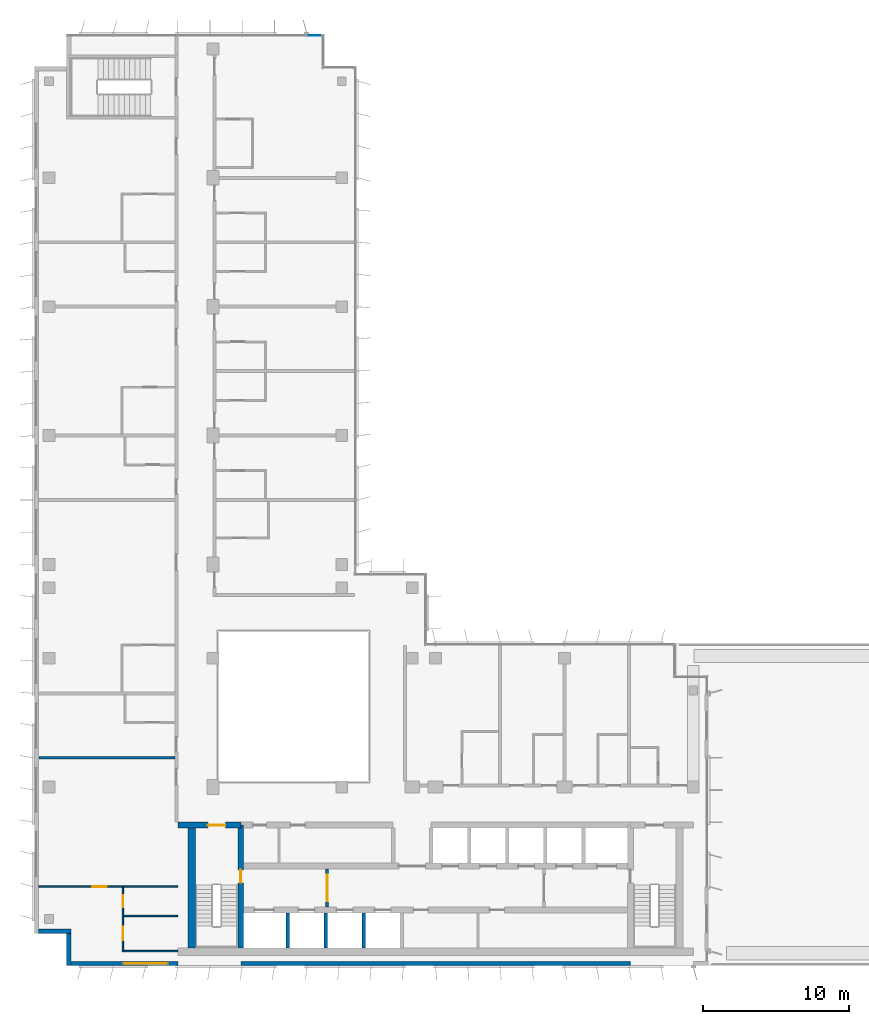
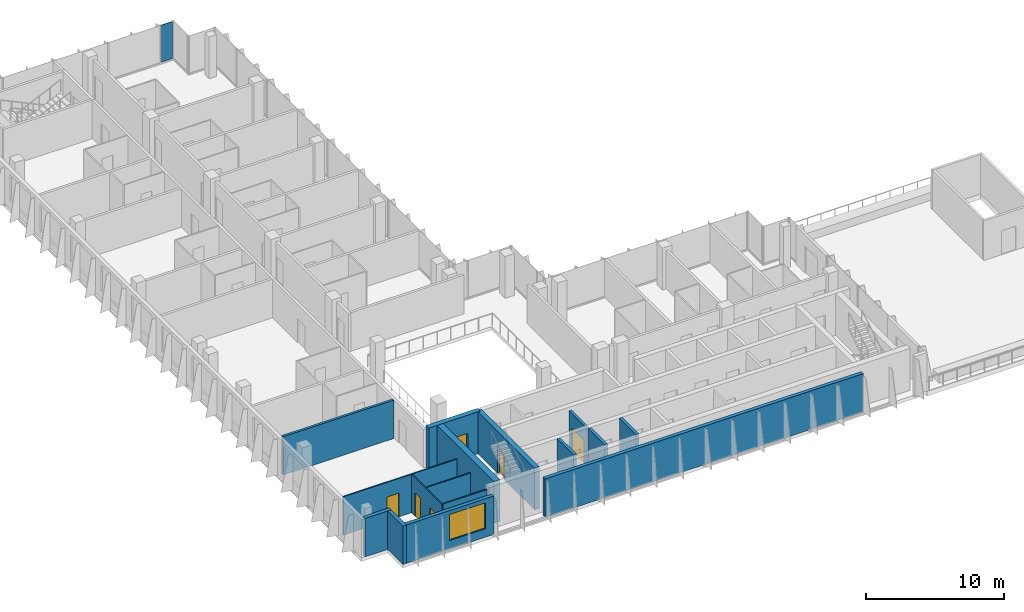
# One storey, part 9 of 17: 16 walls, 6 doors, 1 plate, 1 window, 7 openings, 1 element without a shape of its own.
"""IFC4 building model written with IfcOpenShell, lengths in metres."""

from ifc_helpers import new_model, si_unit, direction, frame, frame_2d, origin, origin_2d, place, context, subcontext, project, spatial, rectangle, extrude, source, transform, mapped, material, layer, layer_set, type_object, element, fill, aggregate, save


model = new_model("IFC4")

# Units and contexts
model_context = context("Model", 3, precision=1e-05, world=origin(), true_north=direction((0.0, 1.0)))
body_context = subcontext(model_context, "Body", "Model", "MODEL_VIEW")
ifc_project = project(units=[si_unit("LENGTHUNIT", "METRE"), si_unit("AREAUNIT", "SQUARE_METRE"), si_unit("VOLUMEUNIT", "CUBIC_METRE"), si_unit("PLANEANGLEUNIT", "RADIAN"), si_unit("MASSUNIT", "GRAM", prefix="KILO")], contexts=[model_context])

# Site, building, storey
site_placement = place(None, origin())
site = spatial("IfcSite", under=ifc_project, at=site_placement, CompositionType="ELEMENT")
building_placement = place(site_placement, origin())
building = spatial("IfcBuilding", under=site, at=building_placement, Name="Kemantara Hotel Tower", CompositionType="ELEMENT")
storey_placement = place(building_placement, frame((0.0, 0.0, 222.800048828125)))
storey = spatial("IfcBuildingStorey", under=building, at=storey_placement, Name="L55", CompositionType="ELEMENT", Elevation=222.800048828125)

# Curtain wall, plate
ifc_material_1 = material(Name="Low-E tinted double insulated glass 36 mm", Category="glass")
curtain_wall_type = type_object("IfcCurtainWallType", Name="TOWER CURTAIN WALL, FRONT FACES", PredefinedType="USERDEFINED", material=ifc_material_1)
curtain_wall_placement = place(storey_placement, origin())
curtain_wall = element("IfcCurtainWall", 1, at=curtain_wall_placement, inside=storey, type_object=curtain_wall_type, Name="CW4 L55 T4-R02-1", ObjectType="TOWER CURTAIN WALL, FRONT FACES", PredefinedType="USERDEFINED")
ifc_layer_1 = layer(ifc_material_1, 0.035888671875)
ifc_layer_set_1 = layer_set([ifc_layer_1], Name="Low-E tinted double insulated glass 36 mm")
plate_type = type_object("IfcPlateType", Name="TOWER CURTAIN WALL, FRONT FACES PANEL", PredefinedType="CURTAIN_PANEL", material=ifc_layer_set_1)
shared_shape = source(origin(), body_context, "Body", "SweptSolid", [
    extrude(rectangle(XDim=0.9599609375, YDim=0.035888671875, at=origin_2d()), origin(), (0.0, 0.0, 1.0), 3.280029296875),
])
plate_placement = place(storey_placement, frame((19.110107421875, 63.52490234375, 0.1201171875), z_axis=(0.0, 0.0, 1.0), x_axis=(-1.0, 0.0, 0.0)))
plate = element("IfcPlate", 2, at=plate_placement, type_object=plate_type, Name="CW4 glass panel T4-R02-1.1", PredefinedType="CURTAIN_PANEL", context=body_context, shape_type="MappedRepresentation", body=[
    mapped(shared_shape, transform((0.0, 0.0, 0.0))),
])
aggregate(curtain_wall, [plate])

# Walls
ifc_material_2 = material(Name="Bronze anodised aluminium cladding on insulated steel stud wall", Category="steel")
ifc_layer_2 = layer(ifc_material_2, 0.300048828125)
ifc_layer_set_2 = layer_set([ifc_layer_2], Name="Bronze anodised aluminium cladding on insulated steel stud wall")
wall_type_1 = type_object("IfcWallType", Name="BRONZE METAL-CLAD EXTERNAL WALL 300", PredefinedType="STANDARD", material=ifc_layer_set_2)
for number, where, z_axis, x_axis, name in (
    (3, (0.300048828125, 2.35009765625, 0.0), (0.0, 0.0, 1.0), (1.0, 0.0, 0.0), "EXTERNAL WALL L55 T4-R06"),
    (4, (2.35009765625, 2.199951171875, 0.0), (0.0, 0.0, 1.0), (0.0, -1.0, 0.0), "EXTERNAL WALL L55 T4-R07"),
):
    element("IfcWall", number, at=place(storey_placement, frame(where, z_axis=z_axis, x_axis=x_axis)), inside=storey, type_object=wall_type_1, Name=name, PredefinedType="STANDARD", context=body_context, shape_type="SweptSolid", body=[
        extrude(rectangle(XDim=2.199951171875, YDim=0.300048828125, at=frame_2d((1.10009765625, 0.0))), origin(), (0.0, 0.0, 1.0), 3.39990234375),
    ])

# Wall, opening, window
wall_1_placement = place(storey_placement, frame((2.5, 0.14990234375, 0.0), z_axis=(0.0, 0.0, 1.0), x_axis=(1.0, 0.0, 0.0)))
wall_1 = element("IfcWall", 5, at=wall_1_placement, inside=storey, type_object=wall_type_1, Name="EXTERNAL WALL L55 T4-R08", PredefinedType="STANDARD", context=body_context, shape_type="SweptSolid", body=[
    extrude(rectangle(XDim=7.300048828125, YDim=0.300048828125, at=frame_2d((3.64990234375, 0.0))), origin(), (0.0, 0.0, 1.0), 3.39990234375),
])
opening_1_placement = place(wall_1_placement, frame((3.60009765625, 0.0, 0.75)))
opening_1 = element("IfcOpeningElement", 6, at=opening_1_placement, cuts=wall_1, Name="Opening W1", PredefinedType="OPENING", context=body_context, shape_type="SweptSolid", body=[
    extrude(rectangle(XDim=3.0, YDim=2.300048828125, at=frame_2d((1.5, 1.14990234375))), frame((0.0, 0.159912109375, 0.0), z_axis=(0.0, -1.0, 0.0), x_axis=(1.0, 0.0, 0.0)), (0.0, 0.0, 1.0), 0.320068359375),
])
ifc_material_3 = material(Name="Low-E tinted double insulated glass in bronze anodised aluminium frame", Category="aluminium")
window_type = type_object("IfcWindowType", Name="CHICAGO WINDOW, TRIPLE PANEL 3000x2300", PartitioningType="TRIPLE_PANEL_VERTICAL", PredefinedType="WINDOW", material=ifc_material_3)
window_placement = place(opening_1_placement, origin())
window = element("IfcWindow", 7, at=window_placement, inside=storey, type_object=window_type, Name="CHICAGO WINDOW L55 T4-R08-54", OverallHeight=2.300048828125, OverallWidth=3.0, PartitioningType="SINGLE_PANEL", PredefinedType="WINDOW", context=body_context, shape_type="SweptSolid", body=[
    extrude(rectangle(XDim=3.0, YDim=2.300048828125, at=frame_2d((1.5, 1.14990234375))), frame((0.0, 0.030029296875, 0.0), z_axis=(0.0, -1.0, 0.0), x_axis=(1.0, 0.0, 0.0)), (0.0, 0.0, 1.0), 0.06005859375),
])
fill(opening_1, window)

# Walls
wall_2_placement = place(storey_placement, frame((14.10009765625, 0.14990234375, 0.0), z_axis=(0.0, 0.0, 1.0), x_axis=(1.0, 0.0, 0.0)))
element("IfcWall", 8, at=wall_2_placement, inside=storey, type_object=wall_type_1, Name="EXTERNAL WALL L55 T4-R08-2", PredefinedType="STANDARD", context=body_context, shape_type="SweptSolid", body=[
    extrude(rectangle(XDim=26.599853515625, YDim=0.300048828125, at=frame_2d((13.2998046875, 0.0))), origin(), (0.0, 0.0, 1.0), 3.39990234375),
])
ifc_material_4 = material(Name="Concrete fc 60 MPa", Category="concrete")
ifc_layer_3 = layer(ifc_material_4, 0.25)
ifc_layer_set_3 = layer_set([ifc_layer_3], Name="Concrete fc 60 MPa")
wall_type_2 = type_object("IfcWallType", Name="CORE WALL 250 FC60", PredefinedType="SHEAR", material=ifc_layer_set_3)
for number, where, z_axis, x_axis, name in (
    (9, (17.300048828125, 1.199951171875, 0.0), (0.0, 0.0, 1.0), (0.0, 1.0, 0.0), "CORE WALL CW-DS17.3"),
    (10, (19.89990234375, 1.199951171875, 0.0), (0.0, 0.0, 1.0), (0.0, 1.0, 0.0), "CORE WALL CW-DS19.9"),
    (11, (22.5, 1.199951171875, 0.0), (0.0, 0.0, 1.0), (0.0, 1.0, 0.0), "CORE WALL CW-DS22.5"),
):
    element("IfcWall", number, at=place(storey_placement, frame(where, z_axis=z_axis, x_axis=x_axis)), inside=storey, type_object=wall_type_2, Name=name, PredefinedType="SHEAR", context=body_context, shape_type="SweptSolid", body=[
        extrude(rectangle(XDim=2.400146484375, YDim=0.25, at=frame_2d((1.2001953125, 0.0))), origin(), (0.0, 0.0, 1.0), 3.699951171875),
    ])

# Wall, opening, door
ifc_layer_4 = layer(ifc_material_4, 0.39990234375)
ifc_layer_set_4 = layer_set([ifc_layer_4], Name="Concrete fc 60 MPa")
wall_type_3 = type_object("IfcWallType", Name="CORE WALL 400 FC60", PredefinedType="SHEAR", material=ifc_layer_set_4)
wall_3_placement = place(storey_placement, frame((9.800048828125, 9.60009765625, 0.0), z_axis=(0.0, 0.0, 1.0), x_axis=(1.0, 0.0, 0.0)))
wall_3 = element("IfcWall", 12, at=wall_3_placement, inside=storey, type_object=wall_type_3, Name="CORE WALL CW-N1", PredefinedType="SHEAR", context=body_context, shape_type="SweptSolid", body=[
    extrude(rectangle(XDim=4.300048828125, YDim=0.39990234375, at=frame_2d((2.14990234375, 0.0))), origin(), (0.0, 0.0, 1.0), 3.699951171875),
])
opening_2_placement = place(wall_3_placement, frame((2.050048828125, 0.0, 0.0)))
opening_2 = element("IfcOpeningElement", 13, at=opening_2_placement, cuts=wall_3, Name="Opening C34-ST1-C", PredefinedType="OPENING", context=body_context, shape_type="SweptSolid", body=[
    extrude(rectangle(XDim=1.199951171875, YDim=2.10009765625, at=frame_2d((0.60009765625, 1.050048828125))), frame((0.0, 0.2099609375, 0.0), z_axis=(0.0, -1.0, 0.0), x_axis=(1.0, 0.0, 0.0)), (0.0, 0.0, 1.0), 0.419921875),
])
ifc_material_5 = material(Name="Steel fire door", Category="steel")
door_type_1 = type_object("IfcDoorType", Name="Fire door FD90 1200 x 2100", OperationType="NOTDEFINED", PredefinedType="DOOR", material=ifc_material_5)
door_1_placement = place(opening_2_placement, frame((1.199951171875, 0.0, 0.0), z_axis=(0.0, 0.0, 1.0), x_axis=(-1.0, 0.0, 0.0)))
door_1 = element("IfcDoor", 14, at=door_1_placement, inside=storey, type_object=door_type_1, Name="Stair ST1 door to corridor", OperationType="SINGLE_SWING_LEFT", OverallHeight=2.10009765625, OverallWidth=1.199951171875, PredefinedType="DOOR", context=body_context, shape_type="SweptSolid", body=[
    extrude(rectangle(XDim=1.199951171875, YDim=2.10009765625, at=frame_2d((0.60009765625, 1.050048828125))), frame((0.0, 0.02490234375, 0.0), z_axis=(0.0, -1.0, 0.0), x_axis=(1.0, 0.0, 0.0)), (0.0, 0.0, 1.0), 0.050048828125),
])
fill(opening_2, door_1)

wall_4_placement = place(storey_placement, frame((14.10009765625, 1.199951171875, 0.0), z_axis=(0.0, 0.0, 1.0), x_axis=(0.0, 1.0, 0.0)))
wall_4 = element("IfcWall", 15, at=wall_4_placement, inside=storey, type_object=wall_type_3, Name="CORE WALL CW-ST1E", PredefinedType="SHEAR", context=body_context, shape_type="SweptSolid", body=[
    extrude(rectangle(XDim=8.400146484375, YDim=0.39990234375, at=frame_2d((4.2001953125, 0.0))), origin(), (0.0, 0.0, 1.0), 3.699951171875),
])
opening_3_placement = place(wall_4_placement, frame((4.449951171875, 0.0, 0.0)))
opening_3 = element("IfcOpeningElement", 16, at=opening_3_placement, cuts=wall_4, Name="Opening C34-ST1-F", PredefinedType="OPENING", context=body_context, shape_type="SweptSolid", body=[
    extrude(rectangle(XDim=0.89990234375, YDim=2.10009765625, at=frame_2d((0.449951171875, 1.050048828125))), frame((0.0, 0.2099609375, 0.0), z_axis=(0.0, -1.0, 0.0), x_axis=(1.0, 0.0, 0.0)), (0.0, 0.0, 1.0), 0.419921875),
])
door_type_2 = type_object("IfcDoorType", Name="Fire door FD90 900 x 2100", OperationType="NOTDEFINED", PredefinedType="DOOR", material=ifc_material_5)
door_2_placement = place(opening_3_placement, origin())
door_2 = element("IfcDoor", 17, at=door_2_placement, inside=storey, type_object=door_type_2, Name="Stair ST1 door to firefighting lobby", OperationType="SINGLE_SWING_RIGHT", OverallHeight=2.10009765625, OverallWidth=0.89990234375, PredefinedType="DOOR", context=body_context, shape_type="SweptSolid", body=[
    extrude(rectangle(XDim=0.89990234375, YDim=2.10009765625, at=frame_2d((0.449951171875, 1.050048828125))), frame((0.0, 0.02490234375, 0.0), z_axis=(0.0, -1.0, 0.0), x_axis=(1.0, 0.0, 0.0)), (0.0, 0.0, 1.0), 0.050048828125),
])
fill(opening_3, door_2)

# Walls
ifc_layer_5 = layer(ifc_material_4, 0.5)
ifc_layer_set_5 = layer_set([ifc_layer_5], Name="Concrete fc 60 MPa")
wall_type_4 = type_object("IfcWallType", Name="CORE WALL 500 FC60", PredefinedType="SHEAR", material=ifc_layer_set_5)
wall_5_placement = place(storey_placement, frame((10.75, 1.199951171875, 0.0), z_axis=(0.0, 0.0, 1.0), x_axis=(0.0, 1.0, 0.0)))
element("IfcWall", 18, at=wall_5_placement, inside=storey, type_object=wall_type_4, Name="CORE WALL CW-W", PredefinedType="SHEAR", context=body_context, shape_type="SweptSolid", body=[
    extrude(rectangle(XDim=8.60009765625, YDim=0.5, at=frame_2d((4.300048828125, 0.0))), origin(), (0.0, 0.0, 1.0), 3.699951171875),
])
ifc_material_6 = material(Name="Gypsum board partition, steel studs and mineral wool, 200 mm", Category="steel")
ifc_layer_6 = layer(ifc_material_6, 0.199951171875)
ifc_layer_set_6 = layer_set([ifc_layer_6], Name="Gypsum board partition, steel studs and mineral wool, 200 mm")
wall_type_5 = type_object("IfcWallType", Name="GUEST ROOM PARTY WALL 200", PredefinedType="PARTITIONING", material=ifc_layer_set_6)
wall_6_placement = place(storey_placement, frame((0.31005859375, 14.199951171875, 0.0), z_axis=(0.0, 0.0, 1.0), x_axis=(1.0, 0.0, 0.0)))
element("IfcWall", 19, at=wall_6_placement, inside=storey, type_object=wall_type_5, Name="GUEST ROOM PARTY WALL 200 010", PredefinedType="PARTITIONING", context=body_context, shape_type="SweptSolid", body=[
    extrude(rectangle(XDim=9.2900390625, YDim=0.199951171875, at=frame_2d((4.64501953125, 0.0))), origin(), (0.0, 0.0, 1.0), 3.39990234375),
])

# Wall, opening, door
ifc_material_7 = material(Name="Gypsum board shaft wall")
ifc_layer_7 = layer(ifc_material_7, 0.199951171875)
ifc_layer_set_7 = layer_set([ifc_layer_7], Name="Gypsum board shaft wall")
wall_type_6 = type_object("IfcWallType", Name="Gypsum board shaft wall 200 mm", PredefinedType="PARTITIONING", material=ifc_layer_set_7)
wall_7_placement = place(storey_placement, frame((20.0, 4.0, 0.0), z_axis=(0.0, 0.0, 1.0), x_axis=(0.0, 1.0, 0.0)))
wall_7 = element("IfcWall", 20, at=wall_7_placement, inside=storey, type_object=wall_type_6, Name="Firefighting lobby partition west", PredefinedType="PARTITIONING", context=body_context, shape_type="SweptSolid", body=[
    extrude(rectangle(XDim=2.60009765625, YDim=0.199951171875, at=frame_2d((1.300048828125, 0.0))), origin(), (0.0, 0.0, 1.0), 3.39990234375),
])
opening_4_placement = place(wall_7_placement, frame((0.39990234375, 0.0, 0.0)))
opening_4 = element("IfcOpeningElement", 21, at=opening_4_placement, cuts=wall_7, Name="Opening C34-FFW", PredefinedType="OPENING", context=body_context, shape_type="SweptSolid", body=[
    extrude(rectangle(XDim=1.800048828125, YDim=2.10009765625, at=frame_2d((0.89990234375, 1.050048828125))), frame((0.0, 0.10986328125, 0.0), z_axis=(0.0, -1.0, 0.0), x_axis=(1.0, 0.0, 0.0)), (0.0, 0.0, 1.0), 0.219970703125),
])
door_type_3 = type_object("IfcDoorType", Name="Fire door pair FD60 1800 x 2100", OperationType="DOUBLE_DOOR_SINGLE_SWING", PredefinedType="DOOR", material=ifc_material_5)
door_3_placement = place(opening_4_placement, origin())
door_3 = element("IfcDoor", 22, at=door_3_placement, inside=storey, type_object=door_type_3, Name="Firefighting lobby door west", OperationType="DOUBLE_DOOR_SINGLE_SWING", OverallHeight=2.10009765625, OverallWidth=1.800048828125, PredefinedType="DOOR", context=body_context, shape_type="SweptSolid", body=[
    extrude(rectangle(XDim=1.800048828125, YDim=2.10009765625, at=frame_2d((0.89990234375, 1.050048828125))), frame((0.0, 0.02490234375, 0.0), z_axis=(0.0, -1.0, 0.0), x_axis=(1.0, 0.0, 0.0)), (0.0, 0.0, 1.0), 0.050048828125),
])
fill(opening_4, door_3)

# Wall, openings, doors
ifc_material_8 = material(Name="Gypsum board partition on steel studs, 100 mm", Category="steel")
ifc_layer_8 = layer(ifc_material_8, 0.10009765625)
ifc_layer_set_8 = layer_set([ifc_layer_8], Name="Gypsum board partition on steel studs, 100 mm")
wall_type_7 = type_object("IfcWallType", Name="ROOM PARTITION 100", PredefinedType="PARTITIONING", material=ifc_layer_set_8)
wall_8_placement = place(storey_placement, frame((6.050048828125, 5.35009765625, 0.0), z_axis=(0.0, 0.0, 1.0), x_axis=(0.0, -1.0, 0.0)))
wall_8 = element("IfcWall", 23, at=wall_8_placement, inside=storey, type_object=wall_type_7, Name="ROOM PARTITION 100 036", PredefinedType="PARTITIONING", context=body_context, shape_type="SweptSolid", body=[
    extrude(rectangle(XDim=4.400146484375, YDim=0.10009765625, at=frame_2d((2.2001953125, 0.0))), origin(), (0.0, 0.0, 1.0), 3.39990234375),
])
opening_5_placement = place(wall_8_placement, frame((2.699951171875, 0.0, 0.0)))
opening_5 = element("IfcOpeningElement", 24, at=opening_5_placement, cuts=wall_8, Name="Opening F27-011", PredefinedType="OPENING", context=body_context, shape_type="SweptSolid", body=[
    extrude(rectangle(XDim=0.89990234375, YDim=2.10009765625, at=frame_2d((0.449951171875, 1.050048828125))), frame((0.0, 0.06005859375, 0.0), z_axis=(0.0, -1.0, 0.0), x_axis=(1.0, 0.0, 0.0)), (0.0, 0.0, 1.0), 0.1201171875),
])
opening_6_placement = place(wall_8_placement, frame((0.550048828125, 0.0, 0.0)))
opening_6 = element("IfcOpeningElement", 25, at=opening_6_placement, cuts=wall_8, Name="Opening F27-012", PredefinedType="OPENING", context=body_context, shape_type="SweptSolid", body=[
    extrude(rectangle(XDim=0.800048828125, YDim=2.10009765625, at=frame_2d((0.39990234375, 1.050048828125))), frame((0.0, 0.06005859375, 0.0), z_axis=(0.0, -1.0, 0.0), x_axis=(1.0, 0.0, 0.0)), (0.0, 0.0, 1.0), 0.1201171875),
])
ifc_material_9 = material(Name="Hardwood veneer door leaf with steel frame", Category="steel")
door_type_4 = type_object("IfcDoorType", Name="BATHROOM DOOR 900 X 2100", OperationType="NOTDEFINED", PredefinedType="DOOR", material=ifc_material_9)
door_4_placement = place(opening_5_placement, origin())
door_4 = element("IfcDoor", 26, at=door_4_placement, inside=storey, type_object=door_type_4, Name="BATHROOM DOOR F27-011", OperationType="SINGLE_SWING_LEFT", OverallHeight=2.10009765625, OverallWidth=0.89990234375, PredefinedType="DOOR", context=body_context, shape_type="SweptSolid", body=[
    extrude(rectangle(XDim=0.89990234375, YDim=2.10009765625, at=frame_2d((0.449951171875, 1.050048828125))), frame((0.0, 0.02490234375, 0.0), z_axis=(0.0, -1.0, 0.0), x_axis=(1.0, 0.0, 0.0)), (0.0, 0.0, 1.0), 0.050048828125),
])
fill(opening_5, door_4)
door_type_5 = type_object("IfcDoorType", Name="WARDROBE DOOR 800 X 2100", OperationType="NOTDEFINED", PredefinedType="DOOR", material=ifc_material_9)
door_5_placement = place(opening_6_placement, origin())
door_5 = element("IfcDoor", 27, at=door_5_placement, inside=storey, type_object=door_type_5, Name="WARDROBE DOOR F27-012", OperationType="SINGLE_SWING_LEFT", OverallHeight=2.10009765625, OverallWidth=0.800048828125, PredefinedType="DOOR", context=body_context, shape_type="SweptSolid", body=[
    extrude(rectangle(XDim=0.800048828125, YDim=2.10009765625, at=frame_2d((0.39990234375, 1.050048828125))), frame((0.0, 0.02490234375, 0.0), z_axis=(0.0, -1.0, 0.0), x_axis=(1.0, 0.0, 0.0)), (0.0, 0.0, 1.0), 0.050048828125),
])
fill(opening_6, door_5)

# Wall, opening, door
wall_9_placement = place(storey_placement, frame((9.7998046875, 5.39990234375, 0.0), z_axis=(0.0, 0.0, 1.0), x_axis=(-1.0, 0.0, 0.0)))
wall_9 = element("IfcWall", 28, at=wall_9_placement, inside=storey, type_object=wall_type_7, Name="ROOM PARTITION 100 037", PredefinedType="PARTITIONING", context=body_context, shape_type="SweptSolid", body=[
    extrude(rectangle(XDim=9.48974609375, YDim=0.10009765625, at=frame_2d((4.744873046875, 0.0))), origin(), (0.0, 0.0, 1.0), 3.39990234375),
])
opening_7_placement = place(wall_9_placement, frame((4.849853515625, 0.0, 0.0)))
opening_7 = element("IfcOpeningElement", 29, at=opening_7_placement, cuts=wall_9, Name="Opening F27-010", PredefinedType="OPENING", context=body_context, shape_type="SweptSolid", body=[
    extrude(rectangle(XDim=1.0, YDim=2.10009765625, at=frame_2d((0.5, 1.050048828125))), frame((0.0, 0.06005859375, 0.0), z_axis=(0.0, -1.0, 0.0), x_axis=(1.0, 0.0, 0.0)), (0.0, 0.0, 1.0), 0.1201171875),
])
door_type_6 = type_object("IfcDoorType", Name="INTERNAL DOOR 1000 X 2100", OperationType="NOTDEFINED", PredefinedType="DOOR", material=ifc_material_9)
door_6_placement = place(opening_7_placement, origin())
door_6 = element("IfcDoor", 30, at=door_6_placement, inside=storey, type_object=door_type_6, Name="INTERNAL DOOR F27-010", OperationType="SINGLE_SWING_LEFT", OverallHeight=2.10009765625, OverallWidth=1.0, PredefinedType="DOOR", context=body_context, shape_type="SweptSolid", body=[
    extrude(rectangle(XDim=1.0, YDim=2.10009765625, at=frame_2d((0.5, 1.050048828125))), frame((0.0, 0.02490234375, 0.0), z_axis=(0.0, -1.0, 0.0), x_axis=(1.0, 0.0, 0.0)), (0.0, 0.0, 1.0), 0.050048828125),
])
fill(opening_7, door_6)

# Walls
for number, where, z_axis, x_axis, name in (
    (31, (6.10009765625, 1.0, 0.0), (0.0, 0.0, 1.0), (1.0, 0.0, 0.0), "ROOM PARTITION 100 038"),
    (32, (6.10009765625, 3.39990234375, 0.0), (0.0, 0.0, 1.0), (1.0, 0.0, 0.0), "ROOM PARTITION 100 039"),
):
    element("IfcWall", number, at=place(storey_placement, frame(where, z_axis=z_axis, x_axis=x_axis)), inside=storey, type_object=wall_type_7, Name=name, PredefinedType="PARTITIONING", context=body_context, shape_type="SweptSolid", body=[
        extrude(rectangle(XDim=3.69970703125, YDim=0.10009765625, at=frame_2d((1.849853515625, 0.0))), origin(), (0.0, 0.0, 1.0), 3.39990234375),
    ])

save(model, "model.ifc")
